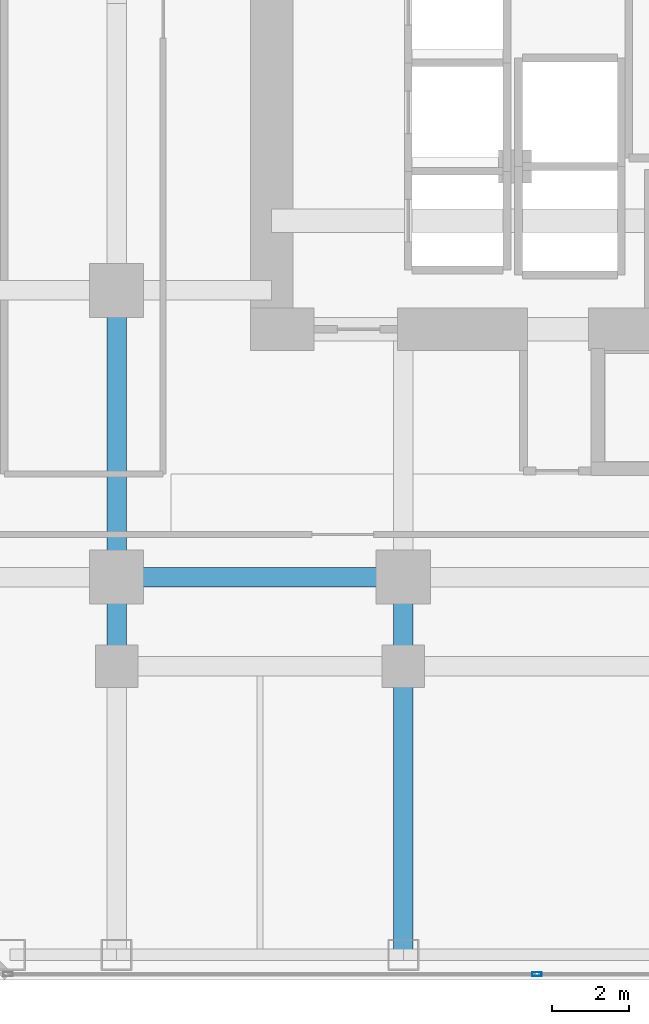
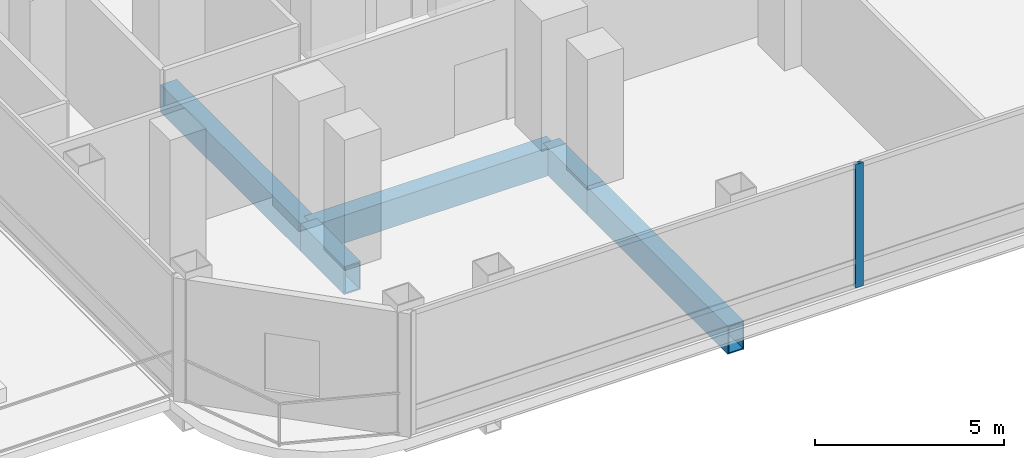
# One storey, part 4 of 29: 5 beams, 1 member, 1 element without a shape of its own.
"""IFC4 building model written with IfcOpenShell, lengths in metres."""

import ifcopenshell
import ifcopenshell.guid

model = None  # the IFC model being written
_history = None  # IfcOwnerHistory: only IFC2X3 demands one
_inside = {}  # id of a spatial element -> (the spatial element, [elements in it])
_under = {}  # id of a project, library or spatial element -> (it, [spatial elements below it])
_declared = {}  # id of a project -> (the project, [libraries it declares])
_typed = {}  # id of a type object -> (the type object, [elements of that type])
_made_of = {}  # id of a material, layer set ... -> (it, [elements and type objects made of it])


def new_model(schema):
    """Start an empty IFC model of exactly this schema.

    Asked for "IFC4X3", IfcOpenShell would pick the latest addendum, in which some entities
    have other attributes; the version numbers below select the first issue.
    IFC2X3 requires an IfcOwnerHistory on every rooted entity: one is made here for all.
    """
    global model, _history
    if schema == "IFC4X3":
        model = ifcopenshell.file(schema_version=(4, 3, 0, 0))
    else:
        model = ifcopenshell.file(schema=schema)
    _inside.clear()
    _under.clear()
    _declared.clear()
    _typed.clear()
    _made_of.clear()
    _history = None
    if model.schema == "IFC2X3":
        org = make("IfcOrganization", Name="unknown")
        user = make(
            "IfcPersonAndOrganization",
            ThePerson=make("IfcPerson", FamilyName="unknown"),
            TheOrganization=org,
        )
        app = make(
            "IfcApplication",
            ApplicationDeveloper=org,
            Version="unknown",
            ApplicationFullName="unknown",
            ApplicationIdentifier="unknown",
        )
        _history = make(
            "IfcOwnerHistory",
            OwningUser=user,
            OwningApplication=app,
            ChangeAction="ADDED",
            CreationDate=0,
        )
    return model


def make(cls, **values):
    """One entity of the class cls with the attributes given. An attribute that is None is left unset."""
    return model.create_entity(
        cls, **{name: value for name, value in values.items() if value is not None}
    )


def rooted(cls, **values):
    """An entity with a GlobalId (a new one), such as an element, a storey or a relation."""
    return make(cls, GlobalId=ifcopenshell.guid.new(), OwnerHistory=_history, **values)


def si_unit(unit_type, name, prefix=None):
    """IfcSIUnit, for example si_unit("LENGTHUNIT", "METRE", prefix="MILLI")."""
    return make("IfcSIUnit", UnitType=unit_type, Prefix=prefix, Name=name)


def assignment(units):
    """IfcUnitAssignment: the units of a project."""
    return None if units is None else make("IfcUnitAssignment", Units=units)


def point(xyz):
    """IfcCartesianPoint."""
    return None if xyz is None else make("IfcCartesianPoint", Coordinates=xyz)


def direction(xyz):
    """IfcDirection."""
    return None if xyz is None else make("IfcDirection", DirectionRatios=xyz)


def frame(location, z_axis=None, x_axis=None):
    """IfcAxis2Placement3D, a coordinate frame: its origin and axes. An axis left out is left unset."""
    return make(
        "IfcAxis2Placement3D",
        Location=point(location),
        Axis=direction(z_axis),
        RefDirection=direction(x_axis),
    )


def frame_2d(location, x_axis=None):
    """IfcAxis2Placement2D, a coordinate frame in the plane: its origin and x axis."""
    return make(
        "IfcAxis2Placement2D", Location=point(location), RefDirection=direction(x_axis)
    )


def origin():
    """The frame at (0, 0, 0) with its axes left unset."""
    return frame((0.0, 0.0, 0.0))


def origin_2d():
    """The frame at (0, 0) in the plane with its x axis left unset."""
    return frame_2d((0.0, 0.0))


def place(relative_to, where):
    """IfcLocalPlacement: puts the frame where relative to a parent placement (None: the world)."""
    return make(
        "IfcLocalPlacement", PlacementRelTo=relative_to, RelativePlacement=where
    )


def context(
    kind, dimensions, precision=None, world=None, true_north=None, identifier=None
):
    """IfcGeometricRepresentationContext, for example the 3D "Model" context."""
    return make(
        "IfcGeometricRepresentationContext",
        ContextIdentifier=identifier,
        ContextType=kind,
        CoordinateSpaceDimension=dimensions,
        Precision=precision,
        WorldCoordinateSystem=world,
        TrueNorth=true_north,
    )


def subcontext(parent, identifier, kind, view, scale=None):
    """IfcGeometricRepresentationSubContext, for example "Body" below "Model"."""
    return make(
        "IfcGeometricRepresentationSubContext",
        ContextIdentifier=identifier,
        ContextType=kind,
        ParentContext=parent,
        TargetScale=scale,
        TargetView=view,
    )


def project(units=None, contexts=None):
    """IfcProject with its units and contexts."""
    return rooted(
        "IfcProject",
        Name="project",
        RepresentationContexts=contexts,
        UnitsInContext=assignment(units),
    )


def spatial(cls, under=None, at=None, **own):
    """A site, building, storey or space (cls), placed at a placement, below another one or the project."""
    s = rooted(cls, ObjectPlacement=at, **own)
    if under is not None:
        _under.setdefault(under.id(), (under, []))[1].append(s)
    return s


def profile(cls, at=None, kind="AREA", **sizes):
    """A parametric profile (cls). Its sizes go by their IFC names, for example OverallWidth=200.0."""
    return make(cls, ProfileType=kind, Position=at, **sizes)


def hollow_rectangle(**sizes):
    """IfcRectangleHollowProfileDef."""
    return profile("IfcRectangleHollowProfileDef", **sizes)


def extrude(swept, where, along, depth):
    """IfcExtrudedAreaSolid: the profile swept, set in the frame where, extruded along a direction by depth."""
    return make(
        "IfcExtrudedAreaSolid",
        SweptArea=swept,
        Position=where,
        ExtrudedDirection=direction(along),
        Depth=depth,
    )


def shape(context_of_items, identifier, shape_type, items):
    """IfcShapeRepresentation: the items that make up one representation, for example the "Body"."""
    return make(
        "IfcShapeRepresentation",
        ContextOfItems=context_of_items,
        RepresentationIdentifier=identifier,
        RepresentationType=shape_type,
        Items=items,
    )


def material(Name=None, Category=None):
    """IfcMaterial."""
    return make("IfcMaterial", Name=Name, Category=Category)


def layer(
    of_material, thickness, ventilated=None, Name=None, Category=None, Priority=None
):
    """IfcMaterialLayer: one layer of a wall or slab, of a material (None: an air gap)."""
    return make(
        "IfcMaterialLayer",
        Material=of_material,
        LayerThickness=thickness,
        IsVentilated=ventilated,
        Name=Name,
        Category=Category,
        Priority=Priority,
    )


def layer_set(layers, Name=None):
    """IfcMaterialLayerSet."""
    return make("IfcMaterialLayerSet", MaterialLayers=layers, LayerSetName=Name)


def material_profile(
    of_material, cross_section, Name=None, Category=None, Priority=None
):
    """IfcMaterialProfile: a cross section and its material."""
    return make(
        "IfcMaterialProfile",
        Name=Name,
        Material=of_material,
        Profile=cross_section,
        Priority=Priority,
        Category=Category,
    )


def profile_set(profiles, Name=None, composite=None):
    """IfcMaterialProfileSet."""
    return make(
        "IfcMaterialProfileSet",
        Name=Name,
        MaterialProfiles=profiles,
        CompositeProfile=composite,
    )


def made_of(thing, what):
    """Note that an element or type object is made of a material, layer set ...; save() writes the relation."""
    if what is not None:
        _made_of.setdefault(what.id(), (what, []))[1].append(thing)
    return thing


def type_object(cls, material=None, **own):
    """A type object (cls), such as IfcWallType, which elements share."""
    return made_of(rooted(cls, **own), material)


def element(
    cls,
    number,
    at=None,
    inside=None,
    cuts=None,
    type_object=None,
    material=None,
    context=None,
    identifier="Body",
    shape_type=None,
    held_by="IfcProductDefinitionShape",
    body=None,
    shapes=None,
    **own,
):
    """One element of the class cls, such as IfcWall. Its Tag is "e" and its number.

    at: its placement. inside: the storey or other place that contains it. cuts: it is an
    opening in that element (IfcRelVoidsElement). A single representation is given by context,
    identifier, shape_type and body (its items); several are given by shapes. held_by: the class
    of the entity that holds the representations. save() writes the other relations.
    """
    e = rooted(cls, Tag="e%d" % number, ObjectPlacement=at, **own)
    if body is not None:
        shapes = [shape(context, identifier, shape_type, body)]
    if shapes is not None:
        e.Representation = make(held_by, Representations=shapes)
    if inside is not None:
        _inside.setdefault(inside.id(), (inside, []))[1].append(e)
    if cuts is not None:
        rooted(
            "IfcRelVoidsElement", RelatingBuildingElement=cuts, RelatedOpeningElement=e
        )
    if type_object is not None:
        _typed.setdefault(type_object.id(), (type_object, []))[1].append(e)
    return made_of(e, material)


def aggregate(whole, parts):
    """IfcRelAggregates: a whole, such as a stair, and the parts it consists of."""
    return rooted("IfcRelAggregates", RelatingObject=whole, RelatedObjects=parts)


def save(model, path):
    """Write the relations noted so far, then the file.

    IfcRelAggregates (storeys below a building ...), IfcRelContainedInSpatialStructure (elements
    in a storey), IfcRelDefinesByType, IfcRelAssociatesMaterial and IfcRelDeclares: one each for
    every whole, place, type object, material and project.
    """
    for whole, parts in _under.values():
        aggregate(whole, parts)
    for where, things in _inside.values():
        rooted(
            "IfcRelContainedInSpatialStructure",
            RelatedElements=things,
            RelatingStructure=where,
        )
    for kind, things in _typed.values():
        rooted("IfcRelDefinesByType", RelatedObjects=things, RelatingType=kind)
    for what, things in _made_of.values():
        rooted("IfcRelAssociatesMaterial", RelatedObjects=things, RelatingMaterial=what)
    for by, libraries in _declared.values():
        rooted("IfcRelDeclares", RelatingContext=by, RelatedDefinitions=libraries)
    model.write(path)


model = new_model("IFC4")

# Units and contexts
model_context = context("Model", 3, precision=1e-05, world=origin(), true_north=direction((0.0, 1.0)))
body_context = subcontext(model_context, "Body", "Model", "MODEL_VIEW")
ifc_project = project(units=[si_unit("LENGTHUNIT", "METRE"), si_unit("AREAUNIT", "SQUARE_METRE"), si_unit("VOLUMEUNIT", "CUBIC_METRE"), si_unit("PLANEANGLEUNIT", "RADIAN"), si_unit("MASSUNIT", "GRAM", prefix="KILO")], contexts=[model_context])

# Site, building, storey
site_placement = place(None, origin())
site = spatial("IfcSite", under=ifc_project, at=site_placement, CompositionType="ELEMENT")
building_placement = place(site_placement, origin())
building = spatial("IfcBuilding", under=site, at=building_placement, Name="Khorvyn Point Tower", CompositionType="ELEMENT")
storey_placement = place(building_placement, frame((0.0, 0.0, 26.39990234375)))
storey = spatial("IfcBuildingStorey", under=building, at=storey_placement, Name="L07", CompositionType="ELEMENT", Elevation=26.39990234375)

# Curtain wall, member
ifc_material_1 = material(Name="Anodised aluminium 6063-T6 and laminated Low-E glass", Category="aluminium")
ifc_layer = layer(ifc_material_1, 0.18994140625)
ifc_layer_set = layer_set([ifc_layer], Name="Stick-Built Finned Residential Curtain Wall CW-SYS-02")
curtain_wall_type = type_object("IfcCurtainWallType", Name="Stick-Built Finned Residential Curtain Wall CW-SYS-02", PredefinedType="NOTDEFINED", material=ifc_layer_set)
curtain_wall_placement = place(storey_placement, origin())
curtain_wall = element("IfcCurtainWall", 1, at=curtain_wall_placement, inside=storey, type_object=curtain_wall_type, Name="Curtain Wall", PredefinedType="NOTDEFINED")
ifc_material_2 = material(Name="Anodised aluminium 6063-T6", Category="aluminium")
ifc_material_profile_1 = material_profile(ifc_material_2, hollow_rectangle(XDim=0.10009765625, YDim=0.239990234375, WallThickness=0.0048828125, at=origin_2d()))
ifc_profile_set_1 = profile_set([ifc_material_profile_1], Name="Anodised aluminium 6063-T6 ALU-MUL-100x240")
member_type = type_object("IfcMemberType", Name="Anodised Aluminium 6063-T6 Mullion ALU-MUL-100x240", PredefinedType="MULLION", material=ifc_profile_set_1)
member_placement = place(storey_placement, frame((-3.949951171875, -25.050048828125, 0.0), z_axis=(0.0, 0.0, 1.0), x_axis=(0.0, -1.0, 0.0)))
member = element("IfcMember", 2, at=member_placement, type_object=member_type, Name="Transom", PredefinedType="MULLION", context=body_context, shape_type="SweptSolid", body=[
    extrude(hollow_rectangle(XDim=0.10009765625, YDim=0.239990234375, WallThickness=0.0048828125, at=origin_2d()), origin(), (0.0, 0.0, 1.0), 3.97998046875),
])
aggregate(curtain_wall, [member])

# Beams
ifc_material_3 = material(Name="Steel S450", Category="steel")
ifc_material_profile_2 = material_profile(ifc_material_3, hollow_rectangle(XDim=0.5, YDim=0.89990234375, WallThickness=0.0400390625, at=origin_2d()))
ifc_profile_set_2 = profile_set([ifc_material_profile_2], Name="Steel S450 BOX900x500x40")
beam_type = type_object("IfcBeamType", Name="Steel S450 Beam BOX900x500x40", PredefinedType="BEAM", material=ifc_profile_set_2)
beam_1_placement = place(storey_placement, frame((-14.800048828125, -14.800048828125, -0.77001953125), z_axis=(1.0, 0.0, 0.0), x_axis=(0.0, 1.0, 0.0)))
element("IfcBeam", 3, at=beam_1_placement, inside=storey, type_object=beam_type, Name="L07 Radial Transfer Girder", PredefinedType="BEAM", context=body_context, shape_type="SweptSolid", body=[
    extrude(hollow_rectangle(XDim=0.5, YDim=0.89990234375, WallThickness=0.0400390625, at=origin_2d()), origin(), (0.0, 0.0, 1.0), 7.400146484375),
])
beam_2_placement = place(storey_placement, frame((-14.800048828125, -17.10009765625, -0.77001953125), z_axis=(0.0, 1.0, 0.0), x_axis=(-1.0, 0.0, 0.0)))
element("IfcBeam", 4, at=beam_2_placement, inside=storey, type_object=beam_type, Name="L07 Radial Transfer Girder", PredefinedType="BEAM", context=body_context, shape_type="SweptSolid", body=[
    extrude(hollow_rectangle(XDim=0.5, YDim=0.89990234375, WallThickness=0.0400390625, at=origin_2d()), origin(), (0.0, 0.0, 1.0), 2.300048828125),
])
beam_3_placement = place(storey_placement, frame((-14.800048828125, -14.800048828125, -0.77001953125), z_axis=(0.0, 1.0, 0.0), x_axis=(-1.0, 0.0, 0.0)))
element("IfcBeam", 5, at=beam_3_placement, inside=storey, type_object=beam_type, Name="L07 Radial Transfer Girder", PredefinedType="BEAM", context=body_context, shape_type="SweptSolid", body=[
    extrude(hollow_rectangle(XDim=0.5, YDim=0.89990234375, WallThickness=0.0400390625, at=origin_2d()), origin(), (0.0, 0.0, 1.0), 7.400146484375),
])
beam_4_placement = place(storey_placement, frame((-7.39990234375, -24.550048828125, -0.77001953125), z_axis=(0.0, 1.0, 0.0), x_axis=(-1.0, 0.0, 0.0)))
element("IfcBeam", 6, at=beam_4_placement, inside=storey, type_object=beam_type, Name="Beam", PredefinedType="BEAM", context=body_context, shape_type="SweptSolid", body=[
    extrude(hollow_rectangle(XDim=0.5, YDim=0.89990234375, WallThickness=0.0400390625, at=origin_2d()), origin(), (0.0, 0.0, 1.0), 7.449951171875),
])
beam_5_placement = place(storey_placement, frame((-7.39990234375, -17.10009765625, -0.77001953125), z_axis=(0.0, 1.0, 0.0), x_axis=(-1.0, 0.0, 0.0)))
element("IfcBeam", 7, at=beam_5_placement, inside=storey, type_object=beam_type, Name="Beam", PredefinedType="BEAM", context=body_context, shape_type="SweptSolid", body=[
    extrude(hollow_rectangle(XDim=0.5, YDim=0.89990234375, WallThickness=0.0400390625, at=origin_2d()), origin(), (0.0, 0.0, 1.0), 2.300048828125),
])

save(model, "model.ifc")
